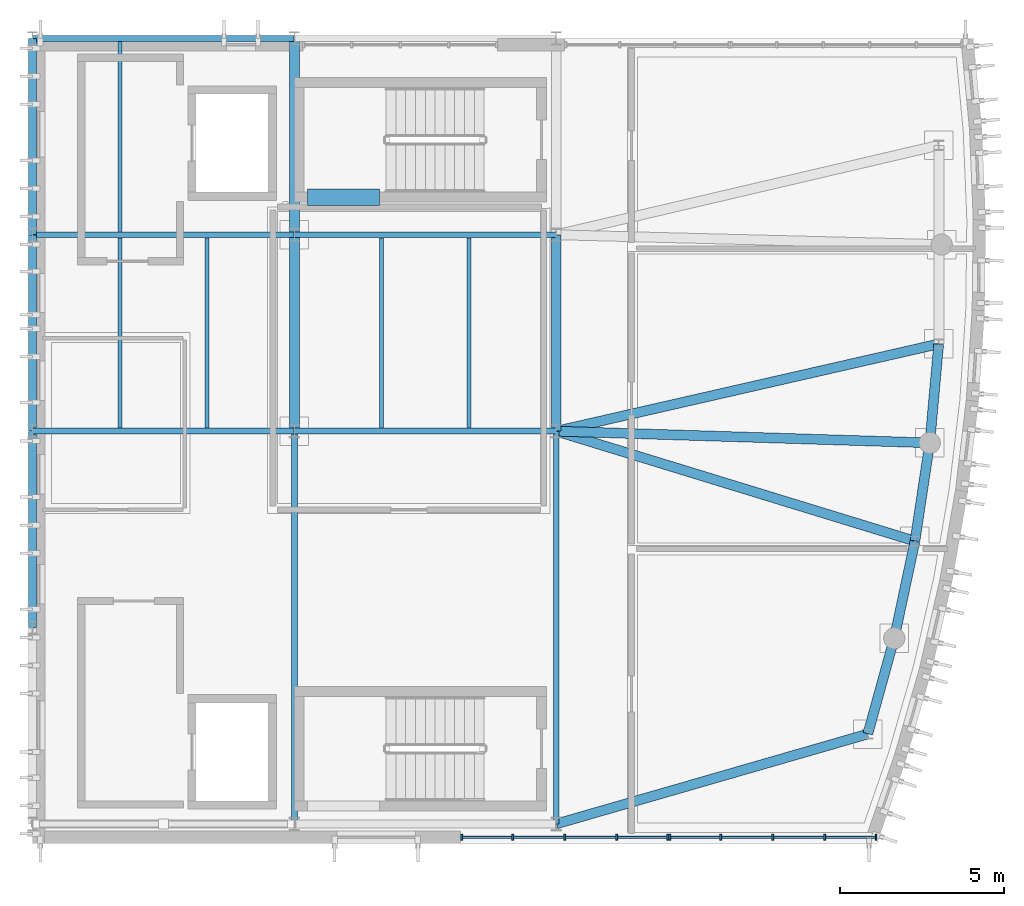
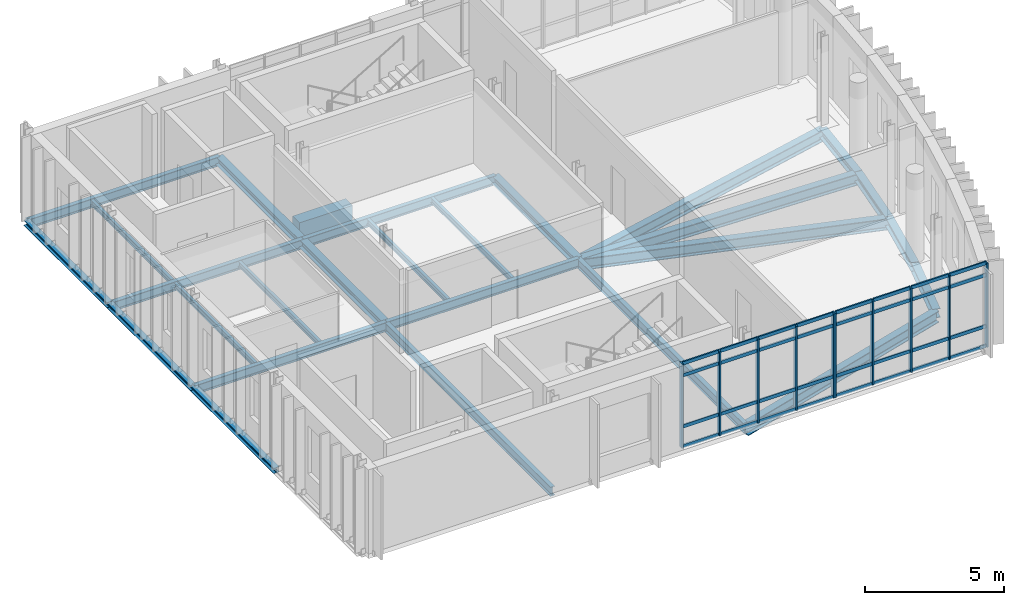
# One storey, part 2 of 10: 42 members, 27 beams, 2 elements without a shape of their own.
"""IFC4 building model written with IfcOpenShell, lengths in metres."""

from ifc_helpers import new_model, si_unit, direction, frame, origin, origin_2d, place, context, subcontext, project, spatial, rectangle, i_section, extrude, material, material_profile, profile_set, type_object, element, aggregate, save


model = new_model("IFC4")

# Units and contexts
model_context = context("Model", 3, precision=1e-05, world=origin(), true_north=direction((0.0, 1.0)))
body_context = subcontext(model_context, "Body", "Model", "MODEL_VIEW")
ifc_project = project(units=[si_unit("LENGTHUNIT", "METRE"), si_unit("AREAUNIT", "SQUARE_METRE"), si_unit("VOLUMEUNIT", "CUBIC_METRE"), si_unit("PLANEANGLEUNIT", "RADIAN"), si_unit("MASSUNIT", "GRAM", prefix="KILO")], contexts=[model_context])

# Site, building, storey
site_placement = place(None, origin())
site = spatial("IfcSite", under=ifc_project, at=site_placement, CompositionType="ELEMENT")
building_placement = place(site_placement, origin())
building = spatial("IfcBuilding", under=site, at=building_placement, Name="Cymarion Research Institute", CompositionType="ELEMENT")
storey_placement = place(building_placement, frame((0.0, 0.0, 38.39990234375)))
storey = spatial("IfcBuildingStorey", under=building, at=storey_placement, Name="L09", CompositionType="ELEMENT", Elevation=38.39990234375)

# Beam
ifc_material_1 = material(Name="Concrete C40/50", Category="concrete")
ifc_material_profile_1 = material_profile(ifc_material_1, rectangle(XDim=0.5, YDim=0.800048828125, at=origin_2d()), Name="RC 500x800")
ifc_profile_set_1 = profile_set([ifc_material_profile_1], Name="Concrete C40/50")
beam_type_1 = type_object("IfcBeamType", Name="COUPLING LINTEL LN03 RC 500x800", PredefinedType="LINTEL", material=ifc_profile_set_1)
beam_1_placement = place(storey_placement, frame((147.0, 24.64990234375, -0.619873046875), z_axis=(1.0, 0.0, 0.0), x_axis=(0.0, 1.0, 0.0)))
element("IfcBeam", 1, at=beam_1_placement, inside=storey, type_object=beam_type_1, Name="L09 C2 core coupling lintel LN03", PredefinedType="LINTEL", context=body_context, shape_type="SweptSolid", body=[
    extrude(rectangle(XDim=0.5, YDim=0.800048828125, at=origin_2d()), origin(), (0.0, 0.0, 1.0), 2.199951171875),
])

# Curtain wall, members
ifc_material_2 = material(Name="Anodised aluminium unitised curtain wall with Low-E glazing", Category="aluminium")
curtain_wall_type = type_object("IfcCurtainWallType", Name="UNITISED CURTAIN WALL CW66 6360X3700", PredefinedType="NOTDEFINED", material=ifc_material_2)
curtain_wall_1_placement = place(storey_placement, origin())
curtain_wall_1 = element("IfcCurtainWall", 2, at=curtain_wall_1_placement, inside=storey, type_object=curtain_wall_type, Name="L09 V1 unitised curtain wall CW66 #248", PredefinedType="NOTDEFINED")
ifc_material_3 = material(Name="Anodised aluminium framing", Category="aluminium")
ifc_material_profile_2 = material_profile(ifc_material_3, rectangle(XDim=0.06005859375, YDim=0.179931640625, at=origin_2d()), Name="ALU MULLION 60x180")
ifc_profile_set_2 = profile_set([ifc_material_profile_2], Name="Anodised aluminium framing")
member_type_1 = type_object("IfcMemberType", Name="CURTAIN WALL MULLION ML01 60X180", PredefinedType="MULLION", material=ifc_profile_set_2)
member_1_placement = place(storey_placement, frame((151.7109375, 5.090087890625, 0.0), z_axis=(0.0, 0.0, 1.0), x_axis=(1.0, 0.0, 0.0)))
member_1 = element("IfcMember", 3, at=member_1_placement, type_object=member_type_1, Name="CW66 mullion 1", PredefinedType="MULLION", context=body_context, shape_type="SweptSolid", body=[
    extrude(rectangle(XDim=0.06005859375, YDim=0.179931640625, at=origin_2d()), origin(), (0.0, 0.0, 1.0), 3.7001953125),
])
member_2_placement = place(storey_placement, frame((153.27099609375, 5.090087890625, 0.0), z_axis=(0.0, 0.0, 1.0), x_axis=(1.0, 0.0, 0.0)))
member_2 = element("IfcMember", 4, at=member_2_placement, type_object=member_type_1, Name="CW66 mullion 2", PredefinedType="MULLION", context=body_context, shape_type="SweptSolid", body=[
    extrude(rectangle(XDim=0.06005859375, YDim=0.179931640625, at=origin_2d()), origin(), (0.0, 0.0, 1.0), 3.7001953125),
])
member_3_placement = place(storey_placement, frame((154.86083984375, 5.090087890625, 0.0), z_axis=(0.0, 0.0, 1.0), x_axis=(1.0, 0.0, 0.0)))
member_3 = element("IfcMember", 5, at=member_3_placement, type_object=member_type_1, Name="CW66 mullion 3", PredefinedType="MULLION", context=body_context, shape_type="SweptSolid", body=[
    extrude(rectangle(XDim=0.06005859375, YDim=0.179931640625, at=origin_2d()), origin(), (0.0, 0.0, 1.0), 3.7001953125),
])
member_4_placement = place(storey_placement, frame((156.45068359375, 5.090087890625, 0.0), z_axis=(0.0, 0.0, 1.0), x_axis=(1.0, 0.0, 0.0)))
member_4 = element("IfcMember", 6, at=member_4_placement, type_object=member_type_1, Name="CW66 mullion 4", PredefinedType="MULLION", context=body_context, shape_type="SweptSolid", body=[
    extrude(rectangle(XDim=0.06005859375, YDim=0.179931640625, at=origin_2d()), origin(), (0.0, 0.0, 1.0), 3.7001953125),
])
member_5_placement = place(storey_placement, frame((158.010498046875, 5.090087890625, 0.0), z_axis=(0.0, 0.0, 1.0), x_axis=(1.0, 0.0, 0.0)))
member_5 = element("IfcMember", 7, at=member_5_placement, type_object=member_type_1, Name="CW66 mullion 5", PredefinedType="MULLION", context=body_context, shape_type="SweptSolid", body=[
    extrude(rectangle(XDim=0.06005859375, YDim=0.179931640625, at=origin_2d()), origin(), (0.0, 0.0, 1.0), 3.7001953125),
])

curtain_wall_2_placement = place(storey_placement, origin())
curtain_wall_2 = element("IfcCurtainWall", 8, at=curtain_wall_2_placement, inside=storey, type_object=curtain_wall_type, Name="L09 V1 unitised curtain wall CW66 #249", PredefinedType="NOTDEFINED")
member_6_placement = place(storey_placement, frame((158.070556640625, 5.090087890625, 0.0), z_axis=(0.0, 0.0, 1.0), x_axis=(1.0, 0.0, 0.0)))
member_6 = element("IfcMember", 9, at=member_6_placement, type_object=member_type_1, Name="CW66 mullion 1", PredefinedType="MULLION", context=body_context, shape_type="SweptSolid", body=[
    extrude(rectangle(XDim=0.06005859375, YDim=0.179931640625, at=origin_2d()), origin(), (0.0, 0.0, 1.0), 3.7001953125),
])
member_7_placement = place(storey_placement, frame((159.63037109375, 5.090087890625, 0.0), z_axis=(0.0, 0.0, 1.0), x_axis=(1.0, 0.0, 0.0)))
member_7 = element("IfcMember", 10, at=member_7_placement, type_object=member_type_1, Name="CW66 mullion 2", PredefinedType="MULLION", context=body_context, shape_type="SweptSolid", body=[
    extrude(rectangle(XDim=0.06005859375, YDim=0.179931640625, at=origin_2d()), origin(), (0.0, 0.0, 1.0), 3.7001953125),
])
member_8_placement = place(storey_placement, frame((161.22021484375, 5.090087890625, 0.0), z_axis=(0.0, 0.0, 1.0), x_axis=(1.0, 0.0, 0.0)))
member_8 = element("IfcMember", 11, at=member_8_placement, type_object=member_type_1, Name="CW66 mullion 3", PredefinedType="MULLION", context=body_context, shape_type="SweptSolid", body=[
    extrude(rectangle(XDim=0.06005859375, YDim=0.179931640625, at=origin_2d()), origin(), (0.0, 0.0, 1.0), 3.7001953125),
])
member_9_placement = place(storey_placement, frame((162.81005859375, 5.090087890625, 0.0), z_axis=(0.0, 0.0, 1.0), x_axis=(1.0, 0.0, 0.0)))
member_9 = element("IfcMember", 12, at=member_9_placement, type_object=member_type_1, Name="CW66 mullion 4", PredefinedType="MULLION", context=body_context, shape_type="SweptSolid", body=[
    extrude(rectangle(XDim=0.06005859375, YDim=0.179931640625, at=origin_2d()), origin(), (0.0, 0.0, 1.0), 3.7001953125),
])
member_10_placement = place(storey_placement, frame((164.3701171875, 5.090087890625, 0.0), z_axis=(0.0, 0.0, 1.0), x_axis=(1.0, 0.0, 0.0)))
member_10 = element("IfcMember", 13, at=member_10_placement, type_object=member_type_1, Name="CW66 mullion 5", PredefinedType="MULLION", context=body_context, shape_type="SweptSolid", body=[
    extrude(rectangle(XDim=0.06005859375, YDim=0.179931640625, at=origin_2d()), origin(), (0.0, 0.0, 1.0), 3.7001953125),
])

# Member
ifc_material_profile_3 = material_profile(ifc_material_3, rectangle(XDim=0.06005859375, YDim=0.14990234375, at=origin_2d()), Name="ALU TRANSOM 60x150")
ifc_profile_set_3 = profile_set([ifc_material_profile_3], Name="Anodised aluminium framing")
member_type_2 = type_object("IfcMemberType", Name="CURTAIN WALL TRANSOM TR01 60X150", PredefinedType="USERDEFINED", material=ifc_profile_set_3)
member_11_placement = place(storey_placement, frame((151.740966796875, 5.090087890625, 0.030029296875), z_axis=(1.0, 0.0, 0.0), x_axis=(0.0, 1.0, 0.0)))
member_11 = element("IfcMember", 14, at=member_11_placement, type_object=member_type_2, Name="CW66 transom 1.1", ObjectType="TRANSOM", PredefinedType="USERDEFINED", context=body_context, shape_type="SweptSolid", body=[
    extrude(rectangle(XDim=0.06005859375, YDim=0.14990234375, at=origin_2d()), origin(), (0.0, 0.0, 1.0), 1.5),
])

member_12_placement = place(storey_placement, frame((151.740966796875, 5.090087890625, 0.900146484375), z_axis=(1.0, 0.0, 0.0), x_axis=(0.0, 1.0, 0.0)))
member_12 = element("IfcMember", 15, at=member_12_placement, type_object=member_type_2, Name="CW66 transom 1.2", ObjectType="TRANSOM", PredefinedType="USERDEFINED", context=body_context, shape_type="SweptSolid", body=[
    extrude(rectangle(XDim=0.06005859375, YDim=0.14990234375, at=origin_2d()), origin(), (0.0, 0.0, 1.0), 1.5),
])

member_13_placement = place(storey_placement, frame((151.740966796875, 5.090087890625, 3.150146484375), z_axis=(1.0, 0.0, 0.0), x_axis=(0.0, 1.0, 0.0)))
member_13 = element("IfcMember", 16, at=member_13_placement, type_object=member_type_2, Name="CW66 transom 1.3", ObjectType="TRANSOM", PredefinedType="USERDEFINED", context=body_context, shape_type="SweptSolid", body=[
    extrude(rectangle(XDim=0.06005859375, YDim=0.14990234375, at=origin_2d()), origin(), (0.0, 0.0, 1.0), 1.5),
])

member_14_placement = place(storey_placement, frame((151.740966796875, 5.090087890625, 3.670166015625), z_axis=(1.0, 0.0, 0.0), x_axis=(0.0, 1.0, 0.0)))
member_14 = element("IfcMember", 17, at=member_14_placement, type_object=member_type_2, Name="CW66 transom 1.4", ObjectType="TRANSOM", PredefinedType="USERDEFINED", context=body_context, shape_type="SweptSolid", body=[
    extrude(rectangle(XDim=0.06005859375, YDim=0.14990234375, at=origin_2d()), origin(), (0.0, 0.0, 1.0), 1.5),
])

member_15_placement = place(storey_placement, frame((153.30078125, 5.090087890625, 0.030029296875), z_axis=(1.0, 0.0, 0.0), x_axis=(0.0, 1.0, 0.0)))
member_15 = element("IfcMember", 18, at=member_15_placement, type_object=member_type_2, Name="CW66 transom 2.1", ObjectType="TRANSOM", PredefinedType="USERDEFINED", context=body_context, shape_type="SweptSolid", body=[
    extrude(rectangle(XDim=0.06005859375, YDim=0.14990234375, at=origin_2d()), origin(), (0.0, 0.0, 1.0), 1.530029296875),
])

member_16_placement = place(storey_placement, frame((153.30078125, 5.090087890625, 0.900146484375), z_axis=(1.0, 0.0, 0.0), x_axis=(0.0, 1.0, 0.0)))
member_16 = element("IfcMember", 19, at=member_16_placement, type_object=member_type_2, Name="CW66 transom 2.2", ObjectType="TRANSOM", PredefinedType="USERDEFINED", context=body_context, shape_type="SweptSolid", body=[
    extrude(rectangle(XDim=0.06005859375, YDim=0.14990234375, at=origin_2d()), origin(), (0.0, 0.0, 1.0), 1.530029296875),
])

member_17_placement = place(storey_placement, frame((153.30078125, 5.090087890625, 3.150146484375), z_axis=(1.0, 0.0, 0.0), x_axis=(0.0, 1.0, 0.0)))
member_17 = element("IfcMember", 20, at=member_17_placement, type_object=member_type_2, Name="CW66 transom 2.3", ObjectType="TRANSOM", PredefinedType="USERDEFINED", context=body_context, shape_type="SweptSolid", body=[
    extrude(rectangle(XDim=0.06005859375, YDim=0.14990234375, at=origin_2d()), origin(), (0.0, 0.0, 1.0), 1.530029296875),
])

member_18_placement = place(storey_placement, frame((153.30078125, 5.090087890625, 3.670166015625), z_axis=(1.0, 0.0, 0.0), x_axis=(0.0, 1.0, 0.0)))
member_18 = element("IfcMember", 21, at=member_18_placement, type_object=member_type_2, Name="CW66 transom 2.4", ObjectType="TRANSOM", PredefinedType="USERDEFINED", context=body_context, shape_type="SweptSolid", body=[
    extrude(rectangle(XDim=0.06005859375, YDim=0.14990234375, at=origin_2d()), origin(), (0.0, 0.0, 1.0), 1.530029296875),
])

member_19_placement = place(storey_placement, frame((154.890869140625, 5.090087890625, 0.030029296875), z_axis=(1.0, 0.0, 0.0), x_axis=(0.0, 1.0, 0.0)))
member_19 = element("IfcMember", 22, at=member_19_placement, type_object=member_type_2, Name="CW66 transom 3.1", ObjectType="TRANSOM", PredefinedType="USERDEFINED", context=body_context, shape_type="SweptSolid", body=[
    extrude(rectangle(XDim=0.06005859375, YDim=0.14990234375, at=origin_2d()), origin(), (0.0, 0.0, 1.0), 1.52978515625),
])

member_20_placement = place(storey_placement, frame((154.890869140625, 5.090087890625, 0.900146484375), z_axis=(1.0, 0.0, 0.0), x_axis=(0.0, 1.0, 0.0)))
member_20 = element("IfcMember", 23, at=member_20_placement, type_object=member_type_2, Name="CW66 transom 3.2", ObjectType="TRANSOM", PredefinedType="USERDEFINED", context=body_context, shape_type="SweptSolid", body=[
    extrude(rectangle(XDim=0.06005859375, YDim=0.14990234375, at=origin_2d()), origin(), (0.0, 0.0, 1.0), 1.52978515625),
])

member_21_placement = place(storey_placement, frame((154.890869140625, 5.090087890625, 3.150146484375), z_axis=(1.0, 0.0, 0.0), x_axis=(0.0, 1.0, 0.0)))
member_21 = element("IfcMember", 24, at=member_21_placement, type_object=member_type_2, Name="CW66 transom 3.3", ObjectType="TRANSOM", PredefinedType="USERDEFINED", context=body_context, shape_type="SweptSolid", body=[
    extrude(rectangle(XDim=0.06005859375, YDim=0.14990234375, at=origin_2d()), origin(), (0.0, 0.0, 1.0), 1.52978515625),
])

member_22_placement = place(storey_placement, frame((154.890869140625, 5.090087890625, 3.670166015625), z_axis=(1.0, 0.0, 0.0), x_axis=(0.0, 1.0, 0.0)))
member_22 = element("IfcMember", 25, at=member_22_placement, type_object=member_type_2, Name="CW66 transom 3.4", ObjectType="TRANSOM", PredefinedType="USERDEFINED", context=body_context, shape_type="SweptSolid", body=[
    extrude(rectangle(XDim=0.06005859375, YDim=0.14990234375, at=origin_2d()), origin(), (0.0, 0.0, 1.0), 1.52978515625),
])

member_23_placement = place(storey_placement, frame((156.480712890625, 5.090087890625, 0.030029296875), z_axis=(1.0, 0.0, 0.0), x_axis=(0.0, 1.0, 0.0)))
member_23 = element("IfcMember", 26, at=member_23_placement, type_object=member_type_2, Name="CW66 transom 4.1", ObjectType="TRANSOM", PredefinedType="USERDEFINED", context=body_context, shape_type="SweptSolid", body=[
    extrude(rectangle(XDim=0.06005859375, YDim=0.14990234375, at=origin_2d()), origin(), (0.0, 0.0, 1.0), 1.499755859375),
])

member_24_placement = place(storey_placement, frame((156.480712890625, 5.090087890625, 0.900146484375), z_axis=(1.0, 0.0, 0.0), x_axis=(0.0, 1.0, 0.0)))
member_24 = element("IfcMember", 27, at=member_24_placement, type_object=member_type_2, Name="CW66 transom 4.2", ObjectType="TRANSOM", PredefinedType="USERDEFINED", context=body_context, shape_type="SweptSolid", body=[
    extrude(rectangle(XDim=0.06005859375, YDim=0.14990234375, at=origin_2d()), origin(), (0.0, 0.0, 1.0), 1.499755859375),
])

member_25_placement = place(storey_placement, frame((156.480712890625, 5.090087890625, 3.150146484375), z_axis=(1.0, 0.0, 0.0), x_axis=(0.0, 1.0, 0.0)))
member_25 = element("IfcMember", 28, at=member_25_placement, type_object=member_type_2, Name="CW66 transom 4.3", ObjectType="TRANSOM", PredefinedType="USERDEFINED", context=body_context, shape_type="SweptSolid", body=[
    extrude(rectangle(XDim=0.06005859375, YDim=0.14990234375, at=origin_2d()), origin(), (0.0, 0.0, 1.0), 1.499755859375),
])

member_26_placement = place(storey_placement, frame((156.480712890625, 5.090087890625, 3.670166015625), z_axis=(1.0, 0.0, 0.0), x_axis=(0.0, 1.0, 0.0)))
member_26 = element("IfcMember", 29, at=member_26_placement, type_object=member_type_2, Name="CW66 transom 4.4", ObjectType="TRANSOM", PredefinedType="USERDEFINED", context=body_context, shape_type="SweptSolid", body=[
    extrude(rectangle(XDim=0.06005859375, YDim=0.14990234375, at=origin_2d()), origin(), (0.0, 0.0, 1.0), 1.499755859375),
])

aggregate(curtain_wall_1, [member_1, member_2, member_3, member_4, member_5, member_11, member_12, member_13, member_14, member_15, member_16, member_17, member_18, member_19, member_20, member_21, member_22, member_23, member_24, member_25, member_26])

member_27_placement = place(storey_placement, frame((158.1005859375, 5.090087890625, 0.030029296875), z_axis=(1.0, 0.0, 0.0), x_axis=(0.0, 1.0, 0.0)))
member_27 = element("IfcMember", 30, at=member_27_placement, type_object=member_type_2, Name="CW66 transom 1.1", ObjectType="TRANSOM", PredefinedType="USERDEFINED", context=body_context, shape_type="SweptSolid", body=[
    extrude(rectangle(XDim=0.06005859375, YDim=0.14990234375, at=origin_2d()), origin(), (0.0, 0.0, 1.0), 1.499755859375),
])

member_28_placement = place(storey_placement, frame((158.1005859375, 5.090087890625, 0.900146484375), z_axis=(1.0, 0.0, 0.0), x_axis=(0.0, 1.0, 0.0)))
member_28 = element("IfcMember", 31, at=member_28_placement, type_object=member_type_2, Name="CW66 transom 1.2", ObjectType="TRANSOM", PredefinedType="USERDEFINED", context=body_context, shape_type="SweptSolid", body=[
    extrude(rectangle(XDim=0.06005859375, YDim=0.14990234375, at=origin_2d()), origin(), (0.0, 0.0, 1.0), 1.499755859375),
])

member_29_placement = place(storey_placement, frame((158.1005859375, 5.090087890625, 3.150146484375), z_axis=(1.0, 0.0, 0.0), x_axis=(0.0, 1.0, 0.0)))
member_29 = element("IfcMember", 32, at=member_29_placement, type_object=member_type_2, Name="CW66 transom 1.3", ObjectType="TRANSOM", PredefinedType="USERDEFINED", context=body_context, shape_type="SweptSolid", body=[
    extrude(rectangle(XDim=0.06005859375, YDim=0.14990234375, at=origin_2d()), origin(), (0.0, 0.0, 1.0), 1.499755859375),
])

member_30_placement = place(storey_placement, frame((158.1005859375, 5.090087890625, 3.670166015625), z_axis=(1.0, 0.0, 0.0), x_axis=(0.0, 1.0, 0.0)))
member_30 = element("IfcMember", 33, at=member_30_placement, type_object=member_type_2, Name="CW66 transom 1.4", ObjectType="TRANSOM", PredefinedType="USERDEFINED", context=body_context, shape_type="SweptSolid", body=[
    extrude(rectangle(XDim=0.06005859375, YDim=0.14990234375, at=origin_2d()), origin(), (0.0, 0.0, 1.0), 1.499755859375),
])

member_31_placement = place(storey_placement, frame((159.660400390625, 5.090087890625, 0.030029296875), z_axis=(1.0, 0.0, 0.0), x_axis=(0.0, 1.0, 0.0)))
member_31 = element("IfcMember", 34, at=member_31_placement, type_object=member_type_2, Name="CW66 transom 2.1", ObjectType="TRANSOM", PredefinedType="USERDEFINED", context=body_context, shape_type="SweptSolid", body=[
    extrude(rectangle(XDim=0.06005859375, YDim=0.14990234375, at=origin_2d()), origin(), (0.0, 0.0, 1.0), 1.52978515625),
])

member_32_placement = place(storey_placement, frame((159.660400390625, 5.090087890625, 0.900146484375), z_axis=(1.0, 0.0, 0.0), x_axis=(0.0, 1.0, 0.0)))
member_32 = element("IfcMember", 35, at=member_32_placement, type_object=member_type_2, Name="CW66 transom 2.2", ObjectType="TRANSOM", PredefinedType="USERDEFINED", context=body_context, shape_type="SweptSolid", body=[
    extrude(rectangle(XDim=0.06005859375, YDim=0.14990234375, at=origin_2d()), origin(), (0.0, 0.0, 1.0), 1.52978515625),
])

member_33_placement = place(storey_placement, frame((159.660400390625, 5.090087890625, 3.150146484375), z_axis=(1.0, 0.0, 0.0), x_axis=(0.0, 1.0, 0.0)))
member_33 = element("IfcMember", 36, at=member_33_placement, type_object=member_type_2, Name="CW66 transom 2.3", ObjectType="TRANSOM", PredefinedType="USERDEFINED", context=body_context, shape_type="SweptSolid", body=[
    extrude(rectangle(XDim=0.06005859375, YDim=0.14990234375, at=origin_2d()), origin(), (0.0, 0.0, 1.0), 1.52978515625),
])

member_34_placement = place(storey_placement, frame((159.660400390625, 5.090087890625, 3.670166015625), z_axis=(1.0, 0.0, 0.0), x_axis=(0.0, 1.0, 0.0)))
member_34 = element("IfcMember", 37, at=member_34_placement, type_object=member_type_2, Name="CW66 transom 2.4", ObjectType="TRANSOM", PredefinedType="USERDEFINED", context=body_context, shape_type="SweptSolid", body=[
    extrude(rectangle(XDim=0.06005859375, YDim=0.14990234375, at=origin_2d()), origin(), (0.0, 0.0, 1.0), 1.52978515625),
])

member_35_placement = place(storey_placement, frame((161.250244140625, 5.090087890625, 0.030029296875), z_axis=(1.0, 0.0, 0.0), x_axis=(0.0, 1.0, 0.0)))
member_35 = element("IfcMember", 38, at=member_35_placement, type_object=member_type_2, Name="CW66 transom 3.1", ObjectType="TRANSOM", PredefinedType="USERDEFINED", context=body_context, shape_type="SweptSolid", body=[
    extrude(rectangle(XDim=0.06005859375, YDim=0.14990234375, at=origin_2d()), origin(), (0.0, 0.0, 1.0), 1.52978515625),
])

member_36_placement = place(storey_placement, frame((161.250244140625, 5.090087890625, 0.900146484375), z_axis=(1.0, 0.0, 0.0), x_axis=(0.0, 1.0, 0.0)))
member_36 = element("IfcMember", 39, at=member_36_placement, type_object=member_type_2, Name="CW66 transom 3.2", ObjectType="TRANSOM", PredefinedType="USERDEFINED", context=body_context, shape_type="SweptSolid", body=[
    extrude(rectangle(XDim=0.06005859375, YDim=0.14990234375, at=origin_2d()), origin(), (0.0, 0.0, 1.0), 1.52978515625),
])

member_37_placement = place(storey_placement, frame((161.250244140625, 5.090087890625, 3.150146484375), z_axis=(1.0, 0.0, 0.0), x_axis=(0.0, 1.0, 0.0)))
member_37 = element("IfcMember", 40, at=member_37_placement, type_object=member_type_2, Name="CW66 transom 3.3", ObjectType="TRANSOM", PredefinedType="USERDEFINED", context=body_context, shape_type="SweptSolid", body=[
    extrude(rectangle(XDim=0.06005859375, YDim=0.14990234375, at=origin_2d()), origin(), (0.0, 0.0, 1.0), 1.52978515625),
])

member_38_placement = place(storey_placement, frame((161.250244140625, 5.090087890625, 3.670166015625), z_axis=(1.0, 0.0, 0.0), x_axis=(0.0, 1.0, 0.0)))
member_38 = element("IfcMember", 41, at=member_38_placement, type_object=member_type_2, Name="CW66 transom 3.4", ObjectType="TRANSOM", PredefinedType="USERDEFINED", context=body_context, shape_type="SweptSolid", body=[
    extrude(rectangle(XDim=0.06005859375, YDim=0.14990234375, at=origin_2d()), origin(), (0.0, 0.0, 1.0), 1.52978515625),
])

member_39_placement = place(storey_placement, frame((162.840087890625, 5.090087890625, 0.030029296875), z_axis=(1.0, 0.0, 0.0), x_axis=(0.0, 1.0, 0.0)))
member_39 = element("IfcMember", 42, at=member_39_placement, type_object=member_type_2, Name="CW66 transom 4.1", ObjectType="TRANSOM", PredefinedType="USERDEFINED", context=body_context, shape_type="SweptSolid", body=[
    extrude(rectangle(XDim=0.06005859375, YDim=0.14990234375, at=origin_2d()), origin(), (0.0, 0.0, 1.0), 1.5),
])

member_40_placement = place(storey_placement, frame((162.840087890625, 5.090087890625, 0.900146484375), z_axis=(1.0, 0.0, 0.0), x_axis=(0.0, 1.0, 0.0)))
member_40 = element("IfcMember", 43, at=member_40_placement, type_object=member_type_2, Name="CW66 transom 4.2", ObjectType="TRANSOM", PredefinedType="USERDEFINED", context=body_context, shape_type="SweptSolid", body=[
    extrude(rectangle(XDim=0.06005859375, YDim=0.14990234375, at=origin_2d()), origin(), (0.0, 0.0, 1.0), 1.5),
])

member_41_placement = place(storey_placement, frame((162.840087890625, 5.090087890625, 3.150146484375), z_axis=(1.0, 0.0, 0.0), x_axis=(0.0, 1.0, 0.0)))
member_41 = element("IfcMember", 44, at=member_41_placement, type_object=member_type_2, Name="CW66 transom 4.3", ObjectType="TRANSOM", PredefinedType="USERDEFINED", context=body_context, shape_type="SweptSolid", body=[
    extrude(rectangle(XDim=0.06005859375, YDim=0.14990234375, at=origin_2d()), origin(), (0.0, 0.0, 1.0), 1.5),
])

member_42_placement = place(storey_placement, frame((162.840087890625, 5.090087890625, 3.670166015625), z_axis=(1.0, 0.0, 0.0), x_axis=(0.0, 1.0, 0.0)))
member_42 = element("IfcMember", 45, at=member_42_placement, type_object=member_type_2, Name="CW66 transom 4.4", ObjectType="TRANSOM", PredefinedType="USERDEFINED", context=body_context, shape_type="SweptSolid", body=[
    extrude(rectangle(XDim=0.06005859375, YDim=0.14990234375, at=origin_2d()), origin(), (0.0, 0.0, 1.0), 1.5),
])

aggregate(curtain_wall_2, [member_6, member_7, member_8, member_9, member_10, member_27, member_28, member_29, member_30, member_31, member_32, member_33, member_34, member_35, member_36, member_37, member_38, member_39, member_40, member_41, member_42])

# Beams
ifc_material_4 = material(Name="Steel S355", Category="steel")
ifc_material_profile_4 = material_profile(ifc_material_4, i_section(OverallWidth=0.179931640625, OverallDepth=0.39990234375, WebThickness=0.008544921875, FlangeThickness=0.013427734375, FilletRadius=0.02099609375, at=origin_2d()), Name="IPE 400")
ifc_profile_set_4 = profile_set([ifc_material_profile_4], Name="Steel S355")
beam_type_2 = type_object("IfcBeamType", Name="PRIMARY GIRDER BM05 IPE 400", PredefinedType="BEAM", material=ifc_profile_set_4)
for number, where, z_axis, x_axis, name in (
    (46, (138.60595703125, 17.5, -0.39990234375), (1.0, 0.0, 0.0), (0.0, 1.0, 0.0), "L09 V1 girder BM05 #2388"),
    (47, (146.60595703125, 17.5, -0.39990234375), (1.0, 0.0, 0.0), (0.0, 1.0, 0.0), "L09 V1 girder BM05 #2389"),
    (48, (138.60595703125, 23.5, -0.39990234375), (1.0, 0.0, 0.0), (0.0, 1.0, 0.0), "L09 V1 girder BM05 #2390"),
    (49, (146.60595703125, 23.5, -0.39990234375), (1.0, 0.0, 0.0), (0.0, 1.0, 0.0), "L09 V1 girder BM05 #2391"),
    (50, (138.60595703125, 29.5, -0.39990234375), (1.0, 0.0, 0.0), (0.0, 1.0, 0.0), "L09 V1 girder BM05 #2392"),
):
    element("IfcBeam", number, at=place(storey_placement, frame(where, z_axis=z_axis, x_axis=x_axis)), inside=storey, type_object=beam_type_2, Name=name, PredefinedType="BEAM", context=body_context, shape_type="SweptSolid", body=[
        extrude(i_section(OverallWidth=0.179931640625, OverallDepth=0.39990234375, WebThickness=0.008544921875, FlangeThickness=0.013427734375, FilletRadius=0.02099609375, at=origin_2d()), origin(), (0.0, 0.0, 1.0), 7.988037109375),
    ])
for number, where, z_axis, x_axis, name in (
    (51, (146.60009765625, 5.506103515625, -0.39990234375), (0.0, 1.0, 0.0), (-1.0, 0.0, 0.0), "L09 V1 girder BM05 #2398"),
    (52, (154.60009765625, 5.506103515625, -0.39990234375), (0.0, 1.0, 0.0), (-1.0, 0.0, 0.0), "L09 V1 girder BM05 #2401"),
):
    element("IfcBeam", number, at=place(storey_placement, frame(where, z_axis=z_axis, x_axis=x_axis)), inside=storey, type_object=beam_type_2, Name=name, PredefinedType="BEAM", context=body_context, shape_type="SweptSolid", body=[
        extrude(i_section(OverallWidth=0.179931640625, OverallDepth=0.39990234375, WebThickness=0.008544921875, FlangeThickness=0.013427734375, FilletRadius=0.02099609375, at=origin_2d()), origin(), (0.0, 0.0, 1.0), 11.98779296875),
    ])
ifc_material_profile_5 = material_profile(ifc_material_4, i_section(OverallWidth=0.300048828125, OverallDepth=0.5, WebThickness=0.014404296875, FlangeThickness=0.028076171875, FilletRadius=0.027099609375, at=origin_2d()), Name="HEB 500")
ifc_profile_set_5 = profile_set([ifc_material_profile_5], Name="Steel S355")
beam_type_3 = type_object("IfcBeamType", Name="PRIMARY GIRDER BM09 HEB 500", PredefinedType="BEAM", material=ifc_profile_set_5)
beam_2_placement = place(storey_placement, frame((154.607666015625, 5.502197265625, -0.449951171875), z_axis=(0.960790340878, 0.277275893067, 0.0), x_axis=(-0.277275893067, 0.960790340878, 0.0)))
element("IfcBeam", 53, at=beam_2_placement, inside=storey, type_object=beam_type_3, Name="L09 V1 radial prow girder BM09 #2409", PredefinedType="BEAM", context=body_context, shape_type="SweptSolid", body=[
    extrude(i_section(OverallWidth=0.300048828125, OverallDepth=0.5, WebThickness=0.014404296875, FlangeThickness=0.028076171875, FilletRadius=0.027099609375, at=origin_2d()), origin(), (0.0, 0.0, 1.0), 9.8916015625),
])
beam_3_placement = place(storey_placement, frame((154.607666015625, 17.497802734375, -0.449951171875), z_axis=(0.956111343016, -0.29300358318, 0.0), x_axis=(0.29300358318, 0.956111343016, 0.0)))
element("IfcBeam", 54, at=beam_3_placement, inside=storey, type_object=beam_type_3, Name="L09 V1 radial prow girder BM09 #2410", PredefinedType="BEAM", context=body_context, shape_type="SweptSolid", body=[
    extrude(i_section(OverallWidth=0.300048828125, OverallDepth=0.5, WebThickness=0.014404296875, FlangeThickness=0.028076171875, FilletRadius=0.027099609375, at=origin_2d()), origin(), (0.0, 0.0, 1.0), 11.447021484375),
])
beam_4_placement = place(storey_placement, frame((154.60791015625, 17.499755859375, -0.449951171875), z_axis=(0.999510612774, -0.03128154332, 0.0), x_axis=(0.03128154332, 0.999510612774, 0.0)))
element("IfcBeam", 55, at=beam_4_placement, inside=storey, type_object=beam_type_3, Name="L09 V1 radial prow girder BM09 #2411", PredefinedType="BEAM", context=body_context, shape_type="SweptSolid", body=[
    extrude(i_section(OverallWidth=0.300048828125, OverallDepth=0.5, WebThickness=0.014404296875, FlangeThickness=0.028076171875, FilletRadius=0.027099609375, at=origin_2d()), origin(), (0.0, 0.0, 1.0), 11.402587890625),
])
beam_5_placement = place(storey_placement, frame((154.60791015625, 17.501708984375, -0.449951171875), z_axis=(0.974944767555, 0.222447072846, 0.0), x_axis=(-0.222447072846, 0.974944767555, 0.0)))
element("IfcBeam", 56, at=beam_5_placement, inside=storey, type_object=beam_type_3, Name="L09 V1 radial prow girder BM09 #2412", PredefinedType="BEAM", context=body_context, shape_type="SweptSolid", body=[
    extrude(i_section(OverallWidth=0.300048828125, OverallDepth=0.5, WebThickness=0.014404296875, FlangeThickness=0.028076171875, FilletRadius=0.027099609375, at=origin_2d()), origin(), (0.0, 0.0, 1.0), 11.969482421875),
])
ifc_material_profile_6 = material_profile(ifc_material_4, i_section(OverallWidth=0.300048828125, OverallDepth=0.39990234375, WebThickness=0.013427734375, FlangeThickness=0.02392578125, FilletRadius=0.027099609375, at=origin_2d()), Name="HEB 400")
ifc_profile_set_6 = profile_set([ifc_material_profile_6], Name="Steel S355")
beam_type_4 = type_object("IfcBeamType", Name="PRIMARY GIRDER BM11 HEB 400", PredefinedType="BEAM", material=ifc_profile_set_6)
for number, where, z_axis, x_axis, name in (
    (57, (164.12109375, 8.254638671875, -0.39990234375), (0.266488575035, 0.963838077364, 0.0), (-0.963838077364, 0.266488575035, 0.0), "L09 V1 prow ring girder BM11 #2405"),
    (58, (164.929443359375, 11.180419921875, -0.39990234375), (0.208198161849, 0.978086665589, 0.0), (-0.978086665589, 0.208198161849, 0.0), "L09 V1 prow ring girder BM11 #2406"),
    (59, (165.56103515625, 14.1494140625, -0.39990234375), (0.149261642014, 0.988797735749, 0.0), (-0.988797735749, 0.149261642014, 0.0), "L09 V1 prow ring girder BM11 #2407"),
):
    element("IfcBeam", number, at=place(storey_placement, frame(where, z_axis=z_axis, x_axis=x_axis)), inside=storey, type_object=beam_type_4, Name=name, PredefinedType="BEAM", context=body_context, shape_type="SweptSolid", body=[
        extrude(i_section(OverallWidth=0.300048828125, OverallDepth=0.39990234375, WebThickness=0.013427734375, FlangeThickness=0.02392578125, FilletRadius=0.027099609375, at=origin_2d()), origin(), (0.0, 0.0, 1.0), 3.01953125),
    ])
beam_6_placement = place(storey_placement, frame((166.013671875, 17.15087890625, -0.39990234375), z_axis=(0.089835817944, 0.995956588318, 0.0), x_axis=(-0.995956588318, 0.089835817944, 0.0)))
element("IfcBeam", 60, at=beam_6_placement, inside=storey, type_object=beam_type_4, Name="L09 V1 prow ring girder BM11 #2408", PredefinedType="BEAM", context=body_context, shape_type="SweptSolid", body=[
    extrude(i_section(OverallWidth=0.300048828125, OverallDepth=0.39990234375, WebThickness=0.013427734375, FlangeThickness=0.02392578125, FilletRadius=0.027099609375, at=origin_2d()), origin(), (0.0, 0.0, 1.0), 3.019287109375),
])
ifc_material_profile_7 = material_profile(ifc_material_4, i_section(OverallWidth=0.300048828125, OverallDepth=0.35009765625, WebThickness=0.010009765625, FlangeThickness=0.017578125, FilletRadius=0.027099609375, at=origin_2d()), Name="HEA 360")
ifc_profile_set_7 = profile_set([ifc_material_profile_7], Name="Steel S355")
beam_type_5 = type_object("IfcBeamType", Name="PRIMARY GIRDER BM12 HEA 360", PredefinedType="BEAM", material=ifc_profile_set_7)
for number, where, z_axis, x_axis, name in (
    (61, (146.60009765625, 17.506103515625, -0.375), (0.0, 1.0, 0.0), (-1.0, 0.0, 0.0), "L09 V1 girder BM12 #2399"),
    (62, (146.60009765625, 23.506103515625, -0.375), (0.0, 1.0, 0.0), (-1.0, 0.0, 0.0), "L09 V1 girder BM12 #2400"),
    (63, (154.60009765625, 17.506103515625, -0.375), (0.0, 1.0, 0.0), (-1.0, 0.0, 0.0), "L09 V1 girder BM12 #2402"),
):
    element("IfcBeam", number, at=place(storey_placement, frame(where, z_axis=z_axis, x_axis=x_axis)), inside=storey, type_object=beam_type_5, Name=name, PredefinedType="BEAM", context=body_context, shape_type="SweptSolid", body=[
        extrude(i_section(OverallWidth=0.300048828125, OverallDepth=0.35009765625, WebThickness=0.010009765625, FlangeThickness=0.017578125, FilletRadius=0.027099609375, at=origin_2d()), origin(), (0.0, 0.0, 1.0), 5.98779296875),
    ])
ifc_material_profile_8 = material_profile(ifc_material_4, i_section(OverallWidth=0.1201171875, OverallDepth=0.239990234375, WebThickness=0.006103515625, FlangeThickness=0.009765625, FilletRadius=0.014892578125, at=origin_2d()), Name="IPE 240")
ifc_profile_set_8 = profile_set([ifc_material_profile_8], Name="Steel S355")
beam_type_6 = type_object("IfcBeamType", Name="SECONDARY JOIST JS04 IPE 240", PredefinedType="JOIST", material=ifc_profile_set_8)
for number, where, z_axis, x_axis, name in (
    (64, (141.2666015625, 17.593994140625, -0.31982421875), (0.0, 1.0, 0.0), (-1.0, 0.0, 0.0), "L09 V1 secondary joist JS04 #2415"),
    (65, (143.933349609375, 17.593994140625, -0.31982421875), (0.0, 1.0, 0.0), (-1.0, 0.0, 0.0), "L09 V1 secondary joist JS04 #2416"),
    (66, (149.2666015625, 17.593994140625, -0.31982421875), (0.0, 1.0, 0.0), (-1.0, 0.0, 0.0), "L09 V1 secondary joist JS04 #2417"),
    (67, (151.933349609375, 17.593994140625, -0.31982421875), (0.0, 1.0, 0.0), (-1.0, 0.0, 0.0), "L09 V1 secondary joist JS04 #2418"),
    (68, (141.2666015625, 23.593994140625, -0.31982421875), (0.0, 1.0, 0.0), (-1.0, 0.0, 0.0), "L09 V1 secondary joist JS04 #2419"),
):
    element("IfcBeam", number, at=place(storey_placement, frame(where, z_axis=z_axis, x_axis=x_axis)), inside=storey, type_object=beam_type_6, Name=name, PredefinedType="JOIST", context=body_context, shape_type="SweptSolid", body=[
        extrude(i_section(OverallWidth=0.1201171875, OverallDepth=0.239990234375, WebThickness=0.006103515625, FlangeThickness=0.009765625, FilletRadius=0.014892578125, at=origin_2d()), origin(), (0.0, 0.0, 1.0), 5.81201171875),
    ])
ifc_material_profile_9 = material_profile(ifc_material_4, i_section(OverallWidth=0.239990234375, OverallDepth=0.22998046875, WebThickness=0.007568359375, FlangeThickness=0.011962890625, FilletRadius=0.02099609375, at=origin_2d()), Name="HEA 240")
ifc_profile_set_9 = profile_set([ifc_material_profile_9], Name="Steel S355")
beam_type_7 = type_object("IfcBeamType", Name="SPANDREL BEAM SPB03 HEA 240", PredefinedType="SPANDREL", material=ifc_profile_set_9)
for number, where, z_axis, x_axis, name in (
    (69, (138.60009765625, 11.506103515625, -0.31494140625), (0.0, 1.0, 0.0), (-1.0, 0.0, 0.0), "L09 V1 girder SPB03 #2395"),
    (70, (138.60009765625, 17.506103515625, -0.31494140625), (0.0, 1.0, 0.0), (-1.0, 0.0, 0.0), "L09 V1 girder SPB03 #2396"),
    (71, (138.60009765625, 23.506103515625, -0.31494140625), (0.0, 1.0, 0.0), (-1.0, 0.0, 0.0), "L09 V1 girder SPB03 #2397"),
):
    element("IfcBeam", number, at=place(storey_placement, frame(where, z_axis=z_axis, x_axis=x_axis)), inside=storey, type_object=beam_type_7, Name=name, PredefinedType="SPANDREL", context=body_context, shape_type="SweptSolid", body=[
        extrude(i_section(OverallWidth=0.239990234375, OverallDepth=0.22998046875, WebThickness=0.007568359375, FlangeThickness=0.011962890625, FilletRadius=0.02099609375, at=origin_2d()), origin(), (0.0, 0.0, 1.0), 5.98779296875),
    ])

save(model, "model.ifc")
